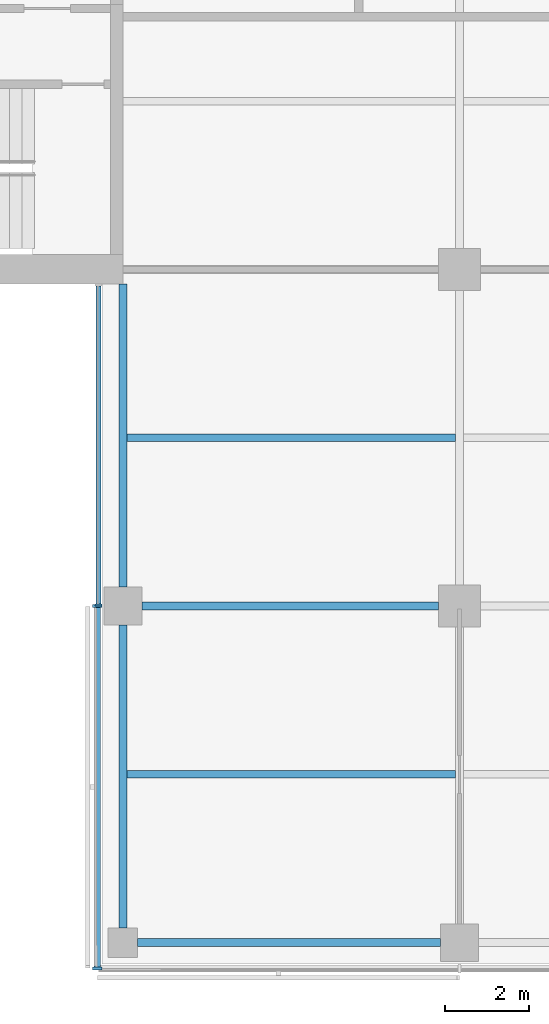
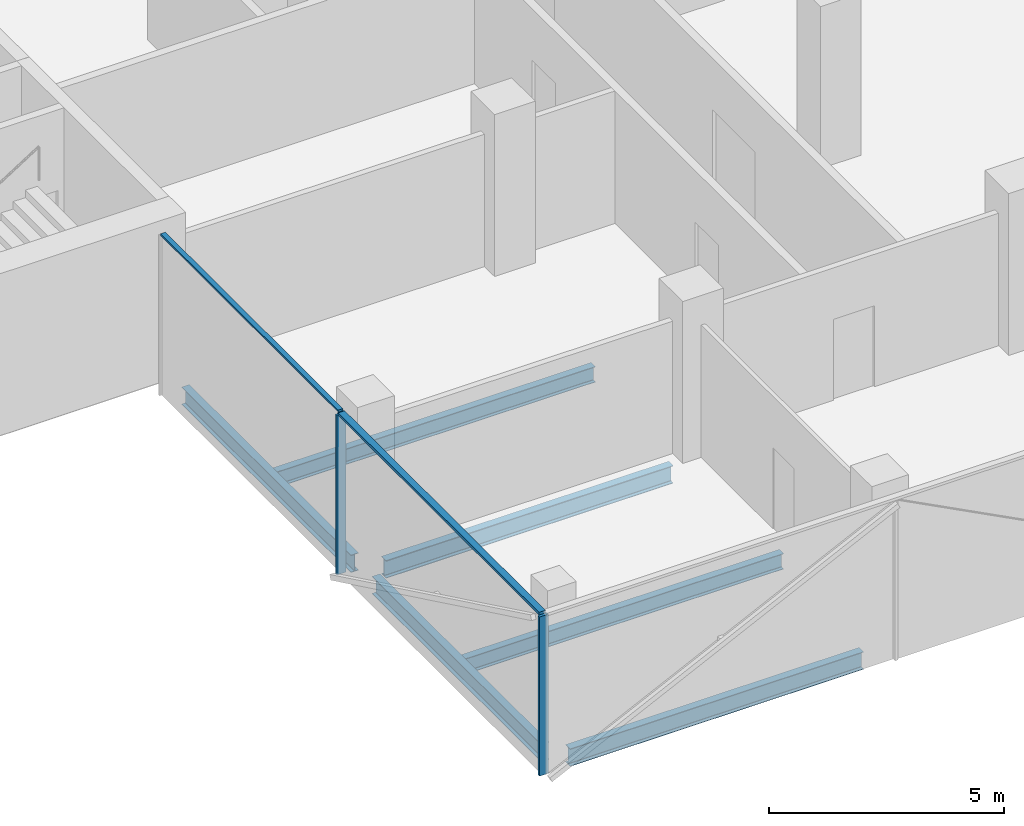
# One storey, part 2 of 22: 6 beams, 5 members, 2 elements without a shape of their own.
"""IFC4 building model written with IfcOpenShell, lengths in metres."""

from ifc_helpers import new_model, si_unit, direction, frame, origin, origin_2d, place, context, subcontext, project, spatial, rectangle, i_section, extrude, material, material_profile, profile_set, type_object, element, aggregate, save


model = new_model("IFC4")

# Units and contexts
model_context = context("Model", 3, precision=1e-05, world=origin(), true_north=direction((0.0, 1.0)))
body_context = subcontext(model_context, "Body", "Model", "MODEL_VIEW")
ifc_project = project(units=[si_unit("LENGTHUNIT", "METRE"), si_unit("AREAUNIT", "SQUARE_METRE"), si_unit("VOLUMEUNIT", "CUBIC_METRE"), si_unit("PLANEANGLEUNIT", "RADIAN"), si_unit("MASSUNIT", "GRAM", prefix="KILO")], contexts=[model_context])

# Site, building, storey
site_placement = place(None, origin())
site = spatial("IfcSite", under=ifc_project, at=site_placement, CompositionType="ELEMENT")
building_placement = place(site_placement, origin())
building = spatial("IfcBuilding", under=site, at=building_placement, Name="Crosswind Convention Tower", CompositionType="ELEMENT")
storey_placement = place(building_placement, frame((0.0, 0.0, 163.10009765625)))
storey = spatial("IfcBuildingStorey", under=building, at=storey_placement, Name="L34", CompositionType="ELEMENT", Elevation=163.10009765625)

# Beams
ifc_material_1 = material(Name="Steel S355", Category="steel")
ifc_material_profile_1 = material_profile(ifc_material_1, i_section(OverallWidth=0.18994140625, OverallDepth=0.45361328125, WebThickness=0.008544921875, FlangeThickness=0.0126953125, FilletRadius=0.01025390625, at=origin_2d()), Name="UB 457x191x67")
ifc_profile_set_1 = profile_set([ifc_material_profile_1], Name="Steel S355")
beam_type_1 = type_object("IfcBeamType", Name="Edge beam UB 457x191x67", PredefinedType="SPANDREL", material=ifc_profile_set_1)
for number, where, z_axis, x_axis, name in (
    (1, (113.0, 72.35009765625, -0.52685546875), (0.0, 1.0, 0.0), (-1.0, 0.0, 0.0), "B16 L34 edge beam 6"),
    (2, (113.0, 80.449951171875, -0.52685546875), (0.0, 1.0, 0.0), (-1.0, 0.0, 0.0), "B16 L34 edge beam 7"),
    (3, (113.35009765625, 72.0, -0.52685546875), (1.0, 0.0, 0.0), (0.0, 1.0, 0.0), "B16 L34 edge beam 10"),
):
    element("IfcBeam", number, at=place(storey_placement, frame(where, z_axis=z_axis, x_axis=x_axis)), inside=storey, type_object=beam_type_1, Name=name, PredefinedType="SPANDREL", context=body_context, shape_type="SweptSolid", body=[
        extrude(i_section(OverallWidth=0.18994140625, OverallDepth=0.45361328125, WebThickness=0.008544921875, FlangeThickness=0.0126953125, FilletRadius=0.01025390625, at=origin_2d()), origin(), (0.0, 0.0, 1.0), 7.199951171875),
    ])
ifc_material_profile_2 = material_profile(ifc_material_1, i_section(OverallWidth=0.19140625, OverallDepth=0.460205078125, WebThickness=0.010009765625, FlangeThickness=0.01611328125, FilletRadius=0.01025390625, at=origin_2d()), Name="UB 457x191x82")
ifc_profile_set_2 = profile_set([ifc_material_profile_2], Name="Steel S355")
beam_type_2 = type_object("IfcBeamType", Name="Girder UB 457x191x82", PredefinedType="BEAM", material=ifc_profile_set_2)
beam_placement = place(storey_placement, frame((113.449951171875, 80.0, -0.5302734375), z_axis=(1.0, 0.0, 0.0), x_axis=(0.0, 1.0, 0.0)))
element("IfcBeam", 4, at=beam_placement, inside=storey, type_object=beam_type_2, Name="B3 L34 girder 1", PredefinedType="BEAM", context=body_context, shape_type="SweptSolid", body=[
    extrude(i_section(OverallWidth=0.19140625, OverallDepth=0.460205078125, WebThickness=0.010009765625, FlangeThickness=0.01611328125, FilletRadius=0.01025390625, at=origin_2d()), origin(), (0.0, 0.0, 1.0), 7.050048828125),
])

# Curtain wall, member
ifc_material_2 = material(Name="Aluminium unitised curtain wall", Category="aluminium")
curtain_wall_type_1 = type_object("IfcCurtainWallType", Name="CORE END SLOT WALL 160", PredefinedType="USERDEFINED", material=ifc_material_2)
curtain_wall_1_placement = place(storey_placement, origin())
curtain_wall_1 = element("IfcCurtainWall", 5, at=curtain_wall_1_placement, inside=storey, type_object=curtain_wall_type_1, Name="CW6 L34 S-W.1-1 slot", ObjectType="UNITISED", PredefinedType="USERDEFINED")
ifc_material_3 = material(Name="Aluminium mullion", Category="aluminium")
ifc_material_profile_3 = material_profile(ifc_material_3, rectangle(XDim=0.159912109375, YDim=0.050048828125, at=origin_2d()), Name="AL 160X50")
ifc_profile_set_3 = profile_set([ifc_material_profile_3], Name="Aluminium mullion")
member_type_1 = type_object("IfcMemberType", Name="MULLION 50X160", PredefinedType="MULLION", material=ifc_profile_set_3)
member_1_placement = place(storey_placement, frame((112.419921875, 80.02490234375, -0.300048828125), z_axis=(0.0, 0.0, 1.0), x_axis=(-1.0, 0.0, 0.0)))
member_1 = element("IfcMember", 6, at=member_1_placement, type_object=member_type_1, Name="CW6 mullion 2", PredefinedType="MULLION", context=body_context, shape_type="SweptSolid", body=[
    extrude(rectangle(XDim=0.159912109375, YDim=0.050048828125, at=origin_2d()), origin(), (0.0, 0.0, 1.0), 4.14990234375),
])

# Curtain wall, members
curtain_wall_type_2 = type_object("IfcCurtainWallType", Name="OFFICE UNITISED WALL 220", PredefinedType="USERDEFINED", material=ifc_material_2)
curtain_wall_2_placement = place(storey_placement, origin())
curtain_wall_2 = element("IfcCurtainWall", 7, at=curtain_wall_2_placement, inside=storey, type_object=curtain_wall_type_2, Name="CW3 L34 S-W 1", ObjectType="UNITISED", PredefinedType="USERDEFINED")
ifc_material_profile_4 = material_profile(ifc_material_3, rectangle(XDim=0.219970703125, YDim=0.070068359375, at=origin_2d()), Name="AL 220X70")
ifc_profile_set_4 = profile_set([ifc_material_profile_4], Name="Aluminium mullion")
member_type_2 = type_object("IfcMemberType", Name="MULLION 70X220", PredefinedType="MULLION", material=ifc_profile_set_4)
member_2_placement = place(storey_placement, frame((112.389892578125, 80.0, -0.300048828125), z_axis=(0.0, 0.0, 1.0), x_axis=(-1.0, 0.0, 0.0)))
member_2 = element("IfcMember", 8, at=member_2_placement, type_object=member_type_2, Name="CW3 mullion 1", PredefinedType="MULLION", context=body_context, shape_type="SweptSolid", body=[
    extrude(rectangle(XDim=0.219970703125, YDim=0.070068359375, at=origin_2d()), origin(), (0.0, 0.0, 1.0), 4.1298828125),
])
member_3_placement = place(storey_placement, frame((112.389892578125, 71.389892578125, -0.300048828125), z_axis=(0.0, 0.0, 1.0), x_axis=(-1.0, 0.0, 0.0)))
member_3 = element("IfcMember", 9, at=member_3_placement, type_object=member_type_2, Name="CW3 mullion 2", PredefinedType="MULLION", context=body_context, shape_type="SweptSolid", body=[
    extrude(rectangle(XDim=0.219970703125, YDim=0.070068359375, at=origin_2d()), origin(), (0.0, 0.0, 1.0), 4.1298828125),
])

# Beams
ifc_material_profile_5 = material_profile(ifc_material_1, i_section(OverallWidth=0.177734375, OverallDepth=0.406494140625, WebThickness=0.0078125, FlangeThickness=0.0126953125, FilletRadius=0.01025390625, at=origin_2d()), Name="UB 406x178x60")
ifc_profile_set_5 = profile_set([ifc_material_profile_5], Name="Steel S355")
beam_type_3 = type_object("IfcBeamType", Name="Secondary beam UB 406x178x60", PredefinedType="JOIST", material=ifc_profile_set_5)
for number, where, z_axis, x_axis, name in (
    (10, (113.094970703125, 76.0, -0.50341796875), (1.0, 0.0, 0.0), (0.0, 1.0, 0.0), "B10 L34 secondary beam 7"),
    (11, (113.094970703125, 84.0, -0.50341796875), (1.0, 0.0, 0.0), (0.0, 1.0, 0.0), "B10 L34 secondary beam 8"),
):
    element("IfcBeam", number, at=place(storey_placement, frame(where, z_axis=z_axis, x_axis=x_axis)), inside=storey, type_object=beam_type_3, Name=name, PredefinedType="JOIST", context=body_context, shape_type="SweptSolid", body=[
        extrude(i_section(OverallWidth=0.177734375, OverallDepth=0.406494140625, WebThickness=0.0078125, FlangeThickness=0.0126953125, FilletRadius=0.01025390625, at=origin_2d()), origin(), (0.0, 0.0, 1.0), 7.809326171875),
    ])

# Member
ifc_material_4 = material(Name="Aluminium transom", Category="aluminium")
ifc_material_profile_6 = material_profile(ifc_material_4, rectangle(XDim=0.1201171875, YDim=0.050048828125, at=origin_2d()), Name="AL 120X50")
ifc_profile_set_6 = profile_set([ifc_material_profile_6], Name="Aluminium transom")
member_type_3 = type_object("IfcMemberType", Name="TRANSOM 50X120", PredefinedType="USERDEFINED", material=ifc_profile_set_6)
member_4_placement = place(storey_placement, frame((112.419921875, 87.60009765625, 3.875), z_axis=(0.0, -1.0, 0.0), x_axis=(1.0, 0.0, 0.0)))
member_4 = element("IfcMember", 12, at=member_4_placement, type_object=member_type_3, Name="CW6 transom", ObjectType="TRANSOM", PredefinedType="USERDEFINED", context=body_context, shape_type="SweptSolid", body=[
    extrude(rectangle(XDim=0.1201171875, YDim=0.050048828125, at=origin_2d()), origin(), (0.0, 0.0, 1.0), 7.550048828125),
])

aggregate(curtain_wall_1, [member_1, member_4])

ifc_material_profile_7 = material_profile(ifc_material_4, rectangle(XDim=0.159912109375, YDim=0.070068359375, at=origin_2d()), Name="AL 160X70")
ifc_profile_set_7 = profile_set([ifc_material_profile_7], Name="Aluminium transom")
member_type_4 = type_object("IfcMemberType", Name="TRANSOM 70X160", PredefinedType="USERDEFINED", material=ifc_profile_set_7)
member_5_placement = place(storey_placement, frame((112.389892578125, 79.965087890625, 3.864990234375), z_axis=(0.0, -1.0, 0.0), x_axis=(1.0, 0.0, 0.0)))
member_5 = element("IfcMember", 13, at=member_5_placement, type_object=member_type_4, Name="CW3 transom", ObjectType="TRANSOM", PredefinedType="USERDEFINED", context=body_context, shape_type="SweptSolid", body=[
    extrude(rectangle(XDim=0.159912109375, YDim=0.070068359375, at=origin_2d()), origin(), (0.0, 0.0, 1.0), 8.5400390625),
])

aggregate(curtain_wall_2, [member_2, member_3, member_5])

save(model, "model.ifc")
